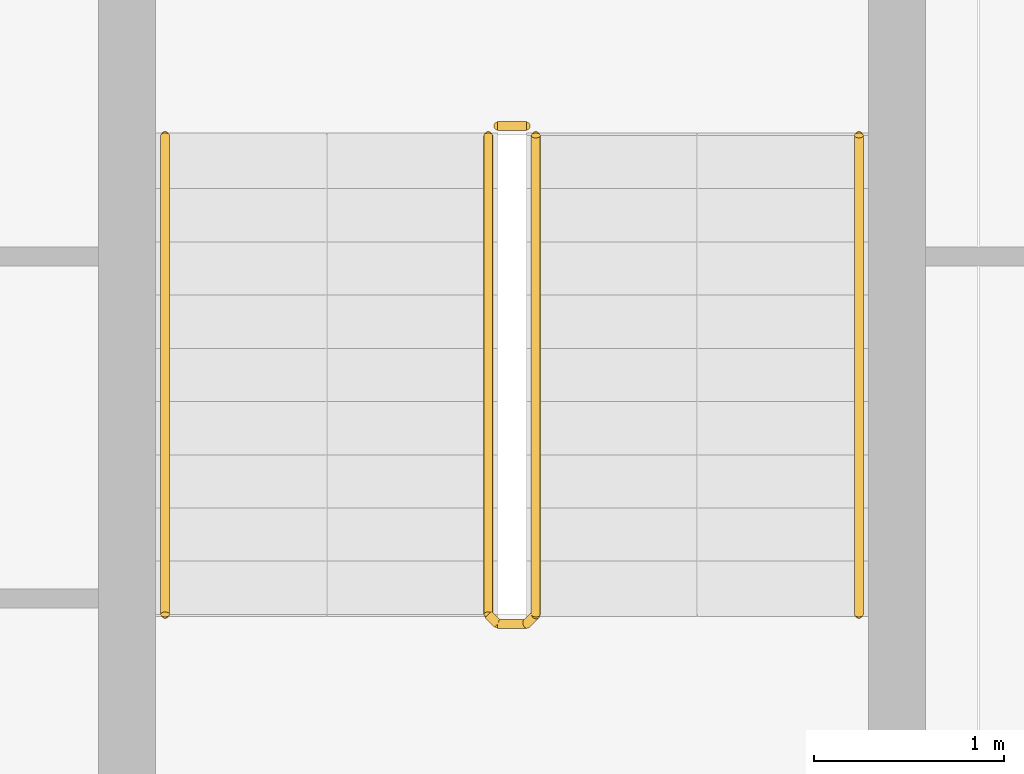
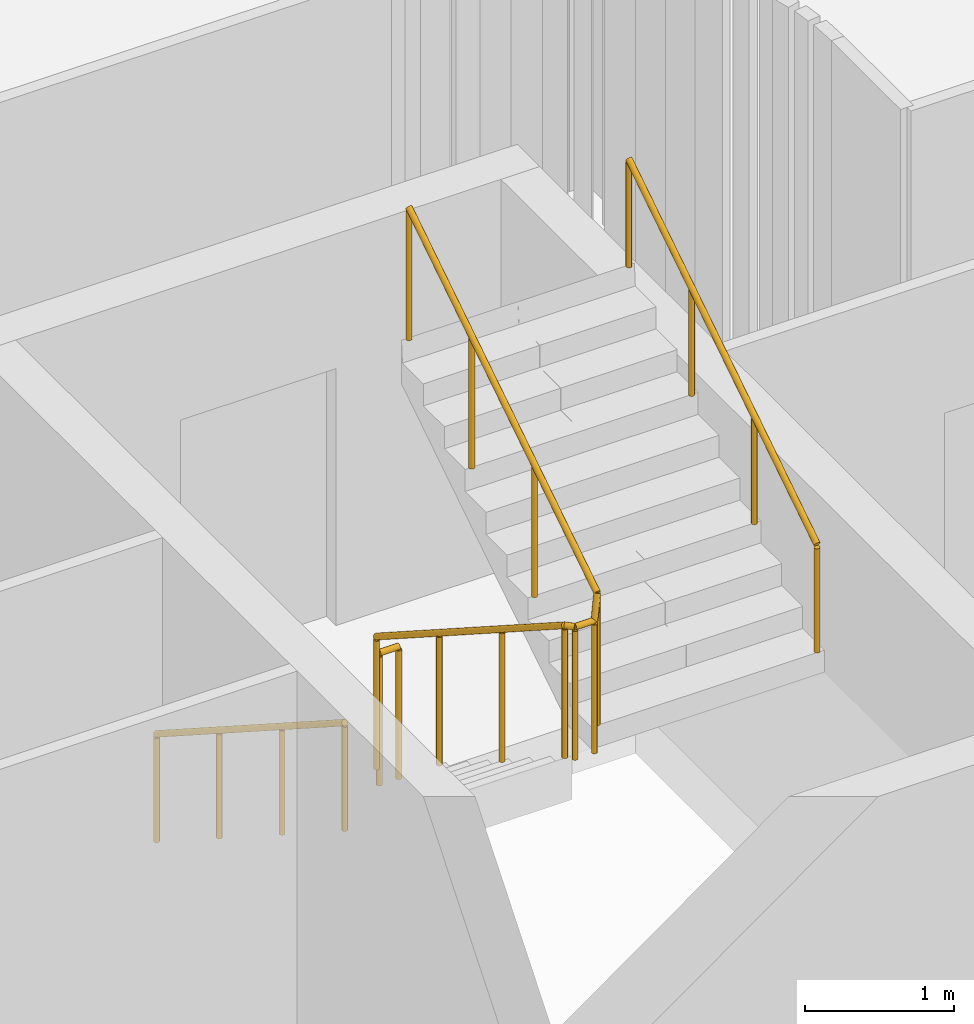
# One storey, part 28 of 30: 4 railings.
"""IFC4 building model written with IfcOpenShell, lengths in metres."""

from ifc_helpers import new_model, si_unit, direction, frame, origin, origin_2d, place, context, subcontext, project, spatial, circle, extrude, material, type_object, element, save


model = new_model("IFC4")

# Units and contexts
model_context = context("Model", 3, precision=1e-05, world=origin(), true_north=direction((0.0, 1.0)))
body_context = subcontext(model_context, "Body", "Model", "MODEL_VIEW")
ifc_project = project(units=[si_unit("LENGTHUNIT", "METRE"), si_unit("AREAUNIT", "SQUARE_METRE"), si_unit("VOLUMEUNIT", "CUBIC_METRE"), si_unit("PLANEANGLEUNIT", "RADIAN"), si_unit("MASSUNIT", "GRAM", prefix="KILO")], contexts=[model_context])

# Site, building, storey
site_placement = place(None, origin())
site = spatial("IfcSite", under=ifc_project, at=site_placement, CompositionType="ELEMENT")
building_placement = place(site_placement, origin())
building = spatial("IfcBuilding", under=site, at=building_placement, Name="Wharfspan Tower", CompositionType="ELEMENT")
storey_placement = place(building_placement, frame((0.0, 0.0, 100.300049)))
storey = spatial("IfcBuildingStorey", under=building, at=storey_placement, Name="L22", CompositionType="ELEMENT", Elevation=100.300049)

# Railings
ifc_material = material(Name="Steel S355J2", Category="steel")
railing_type_1 = type_object("IfcRailingType", Name="Stair guard 1100", PredefinedType="GUARDRAIL", material=ifc_material)
railing_1_placement = place(storey_placement, frame((43.235352, 6.316895, 0.179932)))
element("IfcRailing", 1, at=railing_1_placement, inside=storey, type_object=railing_type_1, Name="L22 ST4 stair guard 1", PredefinedType="GUARDRAIL", context=body_context, shape_type="SweptSolid", body=[
    extrude(circle(Radius=0.023926, at=origin_2d()), frame((0.0, 0.0, 1.076172), z_axis=(0.0, -0.841163, 0.540782), x_axis=(1.0, 0.0, 0.0)), (0.0, 0.0, 1.0), 2.99585),
    extrude(circle(Radius=0.023926, at=origin_2d()), frame((0.0, -2.52002, 2.696289), z_axis=(0.707107, -0.707107, 0.0), x_axis=(0.707107, 0.707107, 0.0)), (0.0, 0.0, 1.0), 0.070312),
    extrude(circle(Radius=0.023926, at=origin_2d()), frame((0.049805, -2.569824, 2.696289), z_axis=(1.0, 0.0, 0.0), x_axis=(0.0, 1.0, 0.0)), (0.0, 0.0, 1.0), 0.150146),
    extrude(circle(Radius=0.023926, at=origin_2d()), frame((0.199951, -2.569824, 2.696289), z_axis=(0.258932, 0.257669, 0.930892), x_axis=(-0.705372, 0.708833, -1e-06)), (0.0, 0.0, 1.0), 0.193359),
    extrude(circle(Radius=0.023926, at=origin_2d()), frame((0.25, -2.52002, 2.875977), z_axis=(0.0, 0.8412, 0.540725), x_axis=(-1.0, 0.0, 0.0)), (0.0, 0.0, 1.0), 2.99585),
    extrude(circle(Radius=0.020996, at=origin_2d()), origin(), (0.0, 0.0, 1.0), 1.052002),
    extrude(circle(Radius=0.020996, at=origin_2d()), frame((0.0, -0.840088, 0.540039)), (0.0, 0.0, 1.0), 1.052002),
    extrude(circle(Radius=0.020996, at=origin_2d()), frame((0.0, -1.679932, 1.080078)), (0.0, 0.0, 1.0), 1.052002),
    extrude(circle(Radius=0.020996, at=origin_2d()), frame((0.0, -2.52002, 1.620117)), (0.0, 0.0, 1.0), 1.052002),
    extrude(circle(Radius=0.020996, at=origin_2d()), frame((0.049805, -2.569824, 1.620117)), (0.0, 0.0, 1.0), 1.052002),
    extrude(circle(Radius=0.020996, at=origin_2d()), frame((0.199951, -2.569824, 1.620117)), (0.0, 0.0, 1.0), 1.052002),
    extrude(circle(Radius=0.020996, at=origin_2d()), frame((0.25, -2.52002, 1.800049)), (0.0, 0.0, 1.0), 1.052002),
    extrude(circle(Radius=0.020996, at=origin_2d()), frame((0.25, -1.679932, 2.340088)), (0.0, 0.0, 1.0), 1.052002),
    extrude(circle(Radius=0.020996, at=origin_2d()), frame((0.25, -0.840088, 2.879883)), (0.0, 0.0, 1.0), 1.052002),
    extrude(circle(Radius=0.020996, at=origin_2d()), frame((0.25, 0.0, 3.419922)), (0.0, 0.0, 1.0), 1.052002),
])
railing_2_placement = place(storey_placement, frame((43.285156, 6.366943, 0.0)))
element("IfcRailing", 2, at=railing_2_placement, inside=storey, type_object=railing_type_1, Name="L22 ST4 stair guard 2", PredefinedType="GUARDRAIL", context=body_context, shape_type="SweptSolid", body=[
    extrude(circle(Radius=0.023926, at=origin_2d()), frame((0.0, 0.0, 1.076172), z_axis=(1.0, 0.0, 0.0), x_axis=(0.0, 1.0, 0.0)), (0.0, 0.0, 1.0), 0.150146),
    extrude(circle(Radius=0.020996, at=origin_2d()), origin(), (0.0, 0.0, 1.0), 1.052002),
    extrude(circle(Radius=0.020996, at=origin_2d()), frame((0.150146, 0.0, 0.0)), (0.0, 0.0, 1.0), 1.052002),
])
railing_type_2 = type_object("IfcRailingType", Name="Stair handrail 900", PredefinedType="HANDRAIL", material=ifc_material)
railing_3_placement = place(storey_placement, frame((41.535156, 6.316895, 0.179932)))
element("IfcRailing", 3, at=railing_3_placement, inside=storey, type_object=railing_type_2, Name="L22 ST4 stair handrail 1", PredefinedType="HANDRAIL", context=body_context, shape_type="SweptSolid", body=[
    extrude(circle(Radius=0.023926, at=origin_2d()), frame((0.0, 0.0, 0.875977), z_axis=(0.0, -0.841163, 0.540782), x_axis=(1.0, 0.0, 0.0)), (0.0, 0.0, 1.0), 2.99585),
    extrude(circle(Radius=0.020996, at=origin_2d()), origin(), (0.0, 0.0, 1.0), 0.851807),
    extrude(circle(Radius=0.020996, at=origin_2d()), frame((0.0, -0.840088, 0.540039)), (0.0, 0.0, 1.0), 0.851807),
    extrude(circle(Radius=0.020996, at=origin_2d()), frame((0.0, -1.679932, 1.080078)), (0.0, 0.0, 1.0), 0.851807),
    extrude(circle(Radius=0.020996, at=origin_2d()), frame((0.0, -2.52002, 1.620117)), (0.0, 0.0, 1.0), 0.851807),
])
railing_4_placement = place(storey_placement, frame((45.185303, 3.796875, 1.97998)))
element("IfcRailing", 4, at=railing_4_placement, inside=storey, type_object=railing_type_2, Name="L22 ST4 stair handrail 2", PredefinedType="HANDRAIL", context=body_context, shape_type="SweptSolid", body=[
    extrude(circle(Radius=0.023926, at=origin_2d()), frame((0.0, 0.0, 0.875977), z_axis=(0.0, 0.8412, 0.540725), x_axis=(-1.0, 0.0, 0.0)), (0.0, 0.0, 1.0), 2.99585),
    extrude(circle(Radius=0.020996, at=origin_2d()), origin(), (0.0, 0.0, 1.0), 0.851807),
    extrude(circle(Radius=0.020996, at=origin_2d()), frame((0.0, 0.840088, 0.540039)), (0.0, 0.0, 1.0), 0.851807),
    extrude(circle(Radius=0.020996, at=origin_2d()), frame((0.0, 1.679932, 1.079834)), (0.0, 0.0, 1.0), 0.851807),
    extrude(circle(Radius=0.020996, at=origin_2d()), frame((0.0, 2.52002, 1.619873)), (0.0, 0.0, 1.0), 0.851807),
])

save(model, "model.ifc")
